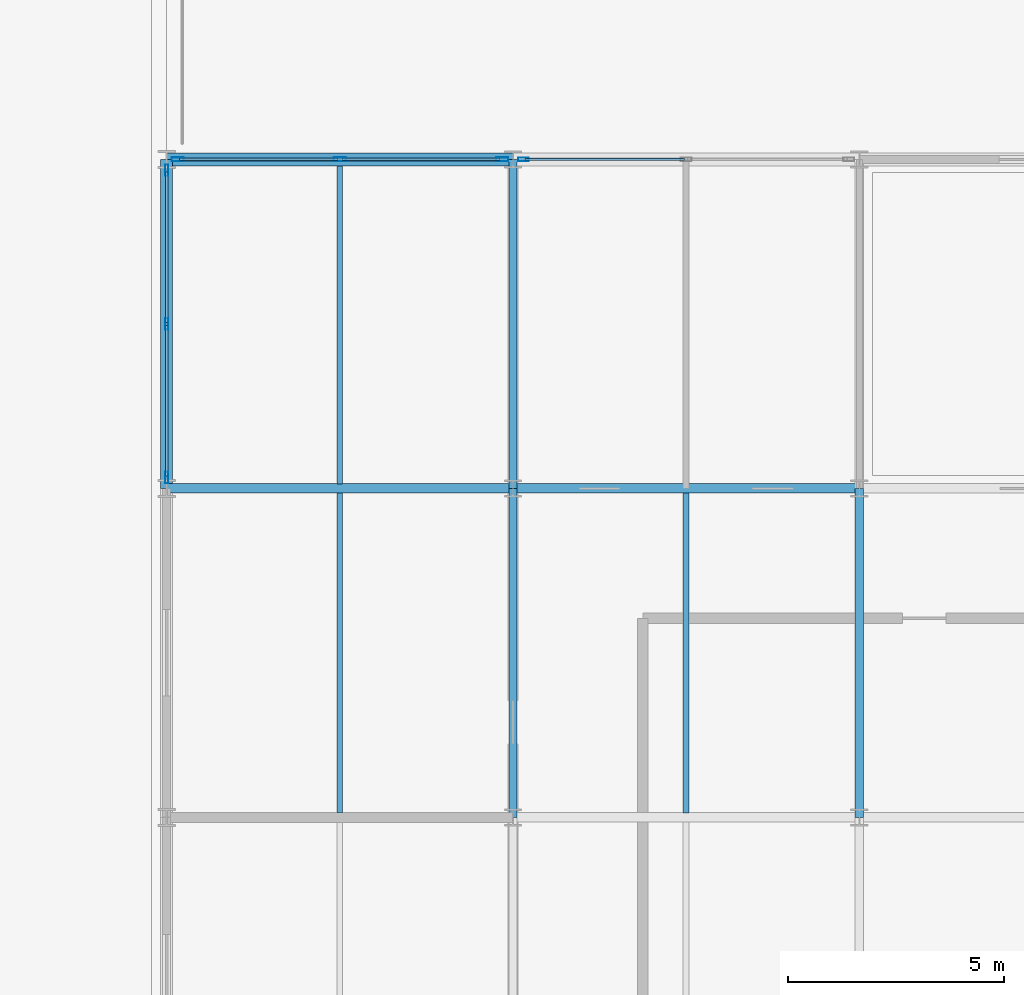
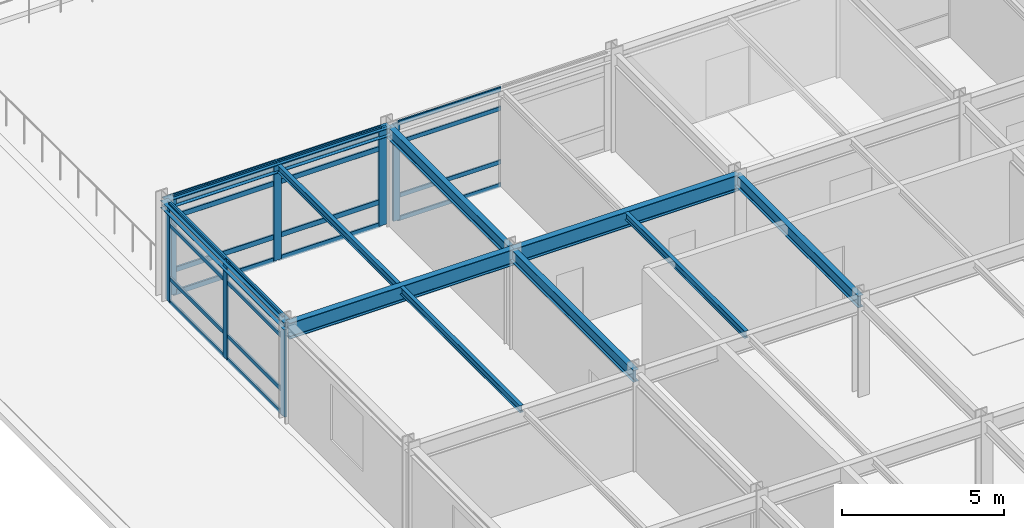
# One storey, part 5 of 46: 27 members, 10 beams, 3 elements without a shape of their own.
"""IFC4 building model written with IfcOpenShell, lengths in metres."""

from ifc_helpers import new_model, si_unit, direction, frame, origin, origin_2d, place, context, subcontext, project, spatial, hollow_rectangle, i_section, extrude, material, layer, layer_set, material_profile, profile_set, type_object, element, aggregate, save


model = new_model("IFC4")

# Units and contexts
model_context = context("Model", 3, precision=1e-05, world=origin(), true_north=direction((0.0, 1.0)))
body_context = subcontext(model_context, "Body", "Model", "MODEL_VIEW")
ifc_project = project(units=[si_unit("LENGTHUNIT", "METRE"), si_unit("AREAUNIT", "SQUARE_METRE"), si_unit("VOLUMEUNIT", "CUBIC_METRE"), si_unit("PLANEANGLEUNIT", "RADIAN"), si_unit("MASSUNIT", "GRAM", prefix="KILO")], contexts=[model_context])

# Site, building, storey
site_placement = place(None, origin())
site = spatial("IfcSite", under=ifc_project, at=site_placement, CompositionType="ELEMENT")
building_placement = place(site_placement, origin())
building = spatial("IfcBuilding", under=site, at=building_placement, Name="Shalkamar Park Central Library", CompositionType="ELEMENT")
storey_placement = place(building_placement, frame((0.0, 0.0, 20.39990234375)))
storey = spatial("IfcBuildingStorey", under=building, at=storey_placement, Name="L05", CompositionType="ELEMENT", Elevation=20.39990234375)

# Beams
ifc_material_1 = material(Name="Steel S355", Category="steel")
ifc_material_profile_1 = material_profile(ifc_material_1, i_section(OverallWidth=0.135009765625, OverallDepth=0.27001953125, WebThickness=0.006591796875, FlangeThickness=0.01025390625, FilletRadius=0.014892578125, at=origin_2d()), Name="IPE 270")
ifc_profile_set_1 = profile_set([ifc_material_profile_1], Name="Steel S355")
beam_type_1 = type_object("IfcBeamType", Name="Composite Floor Joist IPE270", PredefinedType="JOIST", material=ifc_profile_set_1)
beam_1_placement = place(storey_placement, frame((169.0, 278.10791015625, 3.525146484375), z_axis=(0.0, 1.0, 0.0), x_axis=(-1.0, 0.0, 0.0)))
element("IfcBeam", 1, at=beam_1_placement, inside=storey, type_object=beam_type_1, Name="Composite Joist 07/F-1 (L05)", PredefinedType="JOIST", context=body_context, shape_type="SweptSolid", body=[
    extrude(i_section(OverallWidth=0.135009765625, OverallDepth=0.27001953125, WebThickness=0.006591796875, FlangeThickness=0.01025390625, FilletRadius=0.014892578125, at=origin_2d()), origin(), (0.0, 0.0, 1.0), 7.384033203125),
])
beam_2_placement = place(storey_placement, frame((169.0, 285.7080078125, 3.525146484375), z_axis=(0.0, 1.0, 0.0), x_axis=(-1.0, 0.0, 0.0)))
element("IfcBeam", 2, at=beam_2_placement, inside=storey, type_object=beam_type_1, Name="Composite Joist 07/G-1 (L05)", PredefinedType="JOIST", context=body_context, shape_type="SweptSolid", body=[
    extrude(i_section(OverallWidth=0.135009765625, OverallDepth=0.27001953125, WebThickness=0.006591796875, FlangeThickness=0.01025390625, FilletRadius=0.014892578125, at=origin_2d()), origin(), (0.0, 0.0, 1.0), 7.343994140625),
])
beam_3_placement = place(storey_placement, frame((177.0, 278.10791015625, 3.525146484375), z_axis=(0.0, 1.0, 0.0), x_axis=(-1.0, 0.0, 0.0)))
element("IfcBeam", 3, at=beam_3_placement, inside=storey, type_object=beam_type_1, Name="Composite Joist 08/F-1 (L05)", PredefinedType="JOIST", context=body_context, shape_type="SweptSolid", body=[
    extrude(i_section(OverallWidth=0.135009765625, OverallDepth=0.27001953125, WebThickness=0.006591796875, FlangeThickness=0.01025390625, FilletRadius=0.014892578125, at=origin_2d()), origin(), (0.0, 0.0, 1.0), 7.384033203125),
])

# Curtain wall, member
ifc_material_2 = material(Name="Thermally broken aluminium and triple low-e curtain wall", Category="aluminium")
ifc_layer_1 = layer(ifc_material_2, 0.25)
ifc_layer_set_1 = layer_set([ifc_layer_1], Name="UnitisedCurtainWall_68")
curtain_wall_type_1 = type_object("IfcCurtainWallType", Name="Unitised Curtain Wall 68", PredefinedType="USERDEFINED", material=ifc_layer_set_1)
curtain_wall_1_placement = place(storey_placement, origin())
curtain_wall_1 = element("IfcCurtainWall", 4, at=curtain_wall_1_placement, inside=storey, type_object=curtain_wall_type_1, Name="Unitised Curtain Wall CW-L05-083", ObjectType="UNITISED CURTAIN WALL", PredefinedType="USERDEFINED")
ifc_material_3 = material(Name="Aluminium 6060-T66", Category="aluminium")
ifc_material_profile_2 = material_profile(ifc_material_3, hollow_rectangle(XDim=0.074951171875, YDim=0.25, WallThickness=0.00390625, InnerFilletRadius=0.00390625, OuterFilletRadius=0.006103515625, at=origin_2d()), Name="ALU 75x250x4")
ifc_profile_set_2 = profile_set([ifc_material_profile_2], Name="Aluminium 6060-T66")
member_type_1 = type_object("IfcMemberType", Name="Curtain Wall Mullion ALU75x250", PredefinedType="MULLION", material=ifc_profile_set_2)
member_1_placement = place(storey_placement, frame((173.241943359375, 293.199951171875, 0.0), z_axis=(0.0, 0.0, 1.0), x_axis=(0.0, 1.0, 0.0)))
member_1 = element("IfcMember", 5, at=member_1_placement, type_object=member_type_1, Name="CW-68 mullion 1", PredefinedType="MULLION", context=body_context, shape_type="SweptSolid", body=[
    extrude(hollow_rectangle(XDim=0.074951171875, YDim=0.25, WallThickness=0.00390625, InnerFilletRadius=0.00390625, OuterFilletRadius=0.006103515625, at=origin_2d()), origin(), (0.0, 0.0, 1.0), 3.66015625),
])

# Curtain wall, members
ifc_layer_2 = layer(ifc_material_2, 0.260009765625)
ifc_layer_set_2 = layer_set([ifc_layer_2], Name="UnitisedCurtainWall_71")
curtain_wall_type_2 = type_object("IfcCurtainWallType", Name="Unitised Curtain Wall 71", PredefinedType="USERDEFINED", material=ifc_layer_set_2)
curtain_wall_2_placement = place(storey_placement, origin())
curtain_wall_2 = element("IfcCurtainWall", 6, at=curtain_wall_2_placement, inside=storey, type_object=curtain_wall_type_2, Name="Unitised Curtain Wall CW-L05-087", ObjectType="UNITISED CURTAIN WALL", PredefinedType="USERDEFINED")
ifc_material_profile_3 = material_profile(ifc_material_3, hollow_rectangle(XDim=0.074951171875, YDim=0.260009765625, WallThickness=0.00439453125, InnerFilletRadius=0.00439453125, OuterFilletRadius=0.0068359375, at=origin_2d()), Name="ALU 75x260x4.5")
ifc_profile_set_3 = profile_set([ifc_material_profile_3], Name="Aluminium 6060-T66")
member_type_2 = type_object("IfcMemberType", Name="Curtain Wall Mullion ALU75x260", PredefinedType="MULLION", material=ifc_profile_set_3)
member_2_placement = place(storey_placement, frame((165.0, 285.849609375, 0.0), z_axis=(0.0, 0.0, 1.0), x_axis=(-1.0, 0.0, 0.0)))
member_2 = element("IfcMember", 7, at=member_2_placement, type_object=member_type_2, Name="CW-71 mullion 1", PredefinedType="MULLION", context=body_context, shape_type="SweptSolid", body=[
    extrude(hollow_rectangle(XDim=0.074951171875, YDim=0.260009765625, WallThickness=0.00439453125, InnerFilletRadius=0.00439453125, OuterFilletRadius=0.0068359375, at=origin_2d()), origin(), (0.0, 0.0, 1.0), 3.66015625),
])
member_3_placement = place(storey_placement, frame((165.0, 289.39990234375, 0.0), z_axis=(0.0, 0.0, 1.0), x_axis=(-1.0, 0.0, 0.0)))
member_3 = element("IfcMember", 8, at=member_3_placement, type_object=member_type_2, Name="CW-71 mullion 2", PredefinedType="MULLION", context=body_context, shape_type="SweptSolid", body=[
    extrude(hollow_rectangle(XDim=0.074951171875, YDim=0.260009765625, WallThickness=0.00439453125, InnerFilletRadius=0.00439453125, OuterFilletRadius=0.0068359375, at=origin_2d()), origin(), (0.0, 0.0, 1.0), 3.66015625),
])
member_4_placement = place(storey_placement, frame((165.0, 292.950439453125, 0.0), z_axis=(0.0, 0.0, 1.0), x_axis=(-1.0, 0.0, 0.0)))
member_4 = element("IfcMember", 9, at=member_4_placement, type_object=member_type_2, Name="CW-71 mullion 3", PredefinedType="MULLION", context=body_context, shape_type="SweptSolid", body=[
    extrude(hollow_rectangle(XDim=0.074951171875, YDim=0.260009765625, WallThickness=0.00439453125, InnerFilletRadius=0.00439453125, OuterFilletRadius=0.0068359375, at=origin_2d()), origin(), (0.0, 0.0, 1.0), 3.66015625),
])

ifc_layer_3 = layer(ifc_material_2, 0.280029296875)
ifc_layer_set_3 = layer_set([ifc_layer_3], Name="UnitisedCurtainWall_67")
curtain_wall_type_3 = type_object("IfcCurtainWallType", Name="Unitised Curtain Wall 67", PredefinedType="USERDEFINED", material=ifc_layer_set_3)
curtain_wall_3_placement = place(storey_placement, origin())
curtain_wall_3 = element("IfcCurtainWall", 10, at=curtain_wall_3_placement, inside=storey, type_object=curtain_wall_type_3, Name="Unitised Curtain Wall CW-L05-082", ObjectType="UNITISED CURTAIN WALL", PredefinedType="USERDEFINED")
ifc_material_profile_4 = material_profile(ifc_material_3, hollow_rectangle(XDim=0.090087890625, YDim=0.280029296875, WallThickness=0.0048828125, InnerFilletRadius=0.0048828125, OuterFilletRadius=0.007568359375, at=origin_2d()), Name="ALU 90x280x5")
ifc_profile_set_4 = profile_set([ifc_material_profile_4], Name="Aluminium 6060-T66")
member_type_3 = type_object("IfcMemberType", Name="Curtain Wall Mullion ALU90x280", PredefinedType="MULLION", material=ifc_profile_set_4)
member_5_placement = place(storey_placement, frame((165.257080078125, 293.199951171875, 0.0), z_axis=(0.0, 0.0, 1.0), x_axis=(0.0, 1.0, 0.0)))
member_5 = element("IfcMember", 11, at=member_5_placement, type_object=member_type_3, Name="CW-67 mullion 1", PredefinedType="MULLION", context=body_context, shape_type="SweptSolid", body=[
    extrude(hollow_rectangle(XDim=0.090087890625, YDim=0.280029296875, WallThickness=0.0048828125, InnerFilletRadius=0.0048828125, OuterFilletRadius=0.007568359375, at=origin_2d()), origin(), (0.0, 0.0, 1.0), 3.66015625),
])
member_6_placement = place(storey_placement, frame((169.003662109375, 293.199951171875, 0.0), z_axis=(0.0, 0.0, 1.0), x_axis=(0.0, 1.0, 0.0)))
member_6 = element("IfcMember", 12, at=member_6_placement, type_object=member_type_3, Name="CW-67 mullion 2", PredefinedType="MULLION", context=body_context, shape_type="SweptSolid", body=[
    extrude(hollow_rectangle(XDim=0.090087890625, YDim=0.280029296875, WallThickness=0.0048828125, InnerFilletRadius=0.0048828125, OuterFilletRadius=0.007568359375, at=origin_2d()), origin(), (0.0, 0.0, 1.0), 3.66015625),
])
member_7_placement = place(storey_placement, frame((172.75048828125, 293.199951171875, 0.0), z_axis=(0.0, 0.0, 1.0), x_axis=(0.0, 1.0, 0.0)))
member_7 = element("IfcMember", 13, at=member_7_placement, type_object=member_type_3, Name="CW-67 mullion 3", PredefinedType="MULLION", context=body_context, shape_type="SweptSolid", body=[
    extrude(hollow_rectangle(XDim=0.090087890625, YDim=0.280029296875, WallThickness=0.0048828125, InnerFilletRadius=0.0048828125, OuterFilletRadius=0.007568359375, at=origin_2d()), origin(), (0.0, 0.0, 1.0), 3.66015625),
])

# Member
ifc_material_profile_5 = material_profile(ifc_material_3, hollow_rectangle(XDim=0.06005859375, YDim=0.159912109375, WallThickness=0.00390625, InnerFilletRadius=0.00390625, OuterFilletRadius=0.006103515625, at=origin_2d()), Name="ALU 60x160x4")
ifc_profile_set_5 = profile_set([ifc_material_profile_5], Name="Aluminium 6060-T66")
member_type_4 = type_object("IfcMemberType", Name="Curtain Wall Transom ALU60x160", PredefinedType="USERDEFINED", material=ifc_profile_set_5)
member_8_placement = place(storey_placement, frame((173.279541015625, 293.199951171875, 0.030029296875), z_axis=(1.0, 0.0, 0.0), x_axis=(0.0, 1.0, 0.0)))
member_8 = element("IfcMember", 14, at=member_8_placement, type_object=member_type_4, Name="CW-68 transom 1.1", ObjectType="TRANSOM", PredefinedType="USERDEFINED", context=body_context, shape_type="SweptSolid", body=[
    extrude(hollow_rectangle(XDim=0.06005859375, YDim=0.159912109375, WallThickness=0.00390625, InnerFilletRadius=0.00390625, OuterFilletRadius=0.006103515625, at=origin_2d()), origin(), (0.0, 0.0, 1.0), 3.682861328125),
])

member_9_placement = place(storey_placement, frame((173.279541015625, 293.199951171875, 0.900146484375), z_axis=(1.0, 0.0, 0.0), x_axis=(0.0, 1.0, 0.0)))
member_9 = element("IfcMember", 15, at=member_9_placement, type_object=member_type_4, Name="CW-68 transom 1.2", ObjectType="TRANSOM", PredefinedType="USERDEFINED", context=body_context, shape_type="SweptSolid", body=[
    extrude(hollow_rectangle(XDim=0.06005859375, YDim=0.159912109375, WallThickness=0.00390625, InnerFilletRadius=0.00390625, OuterFilletRadius=0.006103515625, at=origin_2d()), origin(), (0.0, 0.0, 1.0), 3.682861328125),
])

member_10_placement = place(storey_placement, frame((173.279541015625, 293.199951171875, 2.91015625), z_axis=(1.0, 0.0, 0.0), x_axis=(0.0, 1.0, 0.0)))
member_10 = element("IfcMember", 16, at=member_10_placement, type_object=member_type_4, Name="CW-68 transom 1.3", ObjectType="TRANSOM", PredefinedType="USERDEFINED", context=body_context, shape_type="SweptSolid", body=[
    extrude(hollow_rectangle(XDim=0.06005859375, YDim=0.159912109375, WallThickness=0.00390625, InnerFilletRadius=0.00390625, OuterFilletRadius=0.006103515625, at=origin_2d()), origin(), (0.0, 0.0, 1.0), 3.682861328125),
])

member_11_placement = place(storey_placement, frame((173.279541015625, 293.199951171875, 3.630126953125), z_axis=(1.0, 0.0, 0.0), x_axis=(0.0, 1.0, 0.0)))
member_11 = element("IfcMember", 17, at=member_11_placement, type_object=member_type_4, Name="CW-68 transom 1.4", ObjectType="TRANSOM", PredefinedType="USERDEFINED", context=body_context, shape_type="SweptSolid", body=[
    extrude(hollow_rectangle(XDim=0.06005859375, YDim=0.159912109375, WallThickness=0.00390625, InnerFilletRadius=0.00390625, OuterFilletRadius=0.006103515625, at=origin_2d()), origin(), (0.0, 0.0, 1.0), 3.682861328125),
])

aggregate(curtain_wall_1, [member_1, member_8, member_9, member_10, member_11])

ifc_material_profile_6 = material_profile(ifc_material_3, hollow_rectangle(XDim=0.06005859375, YDim=0.1650390625, WallThickness=0.00390625, InnerFilletRadius=0.00390625, OuterFilletRadius=0.006103515625, at=origin_2d()), Name="ALU 60x165x4")
ifc_profile_set_6 = profile_set([ifc_material_profile_6], Name="Aluminium 6060-T66")
member_type_5 = type_object("IfcMemberType", Name="Curtain Wall Transom ALU60x165", PredefinedType="USERDEFINED", material=ifc_profile_set_6)
member_12_placement = place(storey_placement, frame((165.0, 285.886962890625, 0.030029296875), z_axis=(0.0, 1.0, 0.0), x_axis=(-1.0, 0.0, 0.0)))
member_12 = element("IfcMember", 18, at=member_12_placement, type_object=member_type_5, Name="CW-71 transom 1.1", ObjectType="TRANSOM", PredefinedType="USERDEFINED", context=body_context, shape_type="SweptSolid", body=[
    extrude(hollow_rectangle(XDim=0.06005859375, YDim=0.1650390625, WallThickness=0.00390625, InnerFilletRadius=0.00390625, OuterFilletRadius=0.006103515625, at=origin_2d()), origin(), (0.0, 0.0, 1.0), 3.4755859375),
])

member_13_placement = place(storey_placement, frame((165.0, 285.886962890625, 0.900146484375), z_axis=(0.0, 1.0, 0.0), x_axis=(-1.0, 0.0, 0.0)))
member_13 = element("IfcMember", 19, at=member_13_placement, type_object=member_type_5, Name="CW-71 transom 1.2", ObjectType="TRANSOM", PredefinedType="USERDEFINED", context=body_context, shape_type="SweptSolid", body=[
    extrude(hollow_rectangle(XDim=0.06005859375, YDim=0.1650390625, WallThickness=0.00390625, InnerFilletRadius=0.00390625, OuterFilletRadius=0.006103515625, at=origin_2d()), origin(), (0.0, 0.0, 1.0), 3.4755859375),
])

member_14_placement = place(storey_placement, frame((165.0, 285.886962890625, 2.91015625), z_axis=(0.0, 1.0, 0.0), x_axis=(-1.0, 0.0, 0.0)))
member_14 = element("IfcMember", 20, at=member_14_placement, type_object=member_type_5, Name="CW-71 transom 1.3", ObjectType="TRANSOM", PredefinedType="USERDEFINED", context=body_context, shape_type="SweptSolid", body=[
    extrude(hollow_rectangle(XDim=0.06005859375, YDim=0.1650390625, WallThickness=0.00390625, InnerFilletRadius=0.00390625, OuterFilletRadius=0.006103515625, at=origin_2d()), origin(), (0.0, 0.0, 1.0), 3.4755859375),
])

member_15_placement = place(storey_placement, frame((165.0, 285.886962890625, 3.630126953125), z_axis=(0.0, 1.0, 0.0), x_axis=(-1.0, 0.0, 0.0)))
member_15 = element("IfcMember", 21, at=member_15_placement, type_object=member_type_5, Name="CW-71 transom 1.4", ObjectType="TRANSOM", PredefinedType="USERDEFINED", context=body_context, shape_type="SweptSolid", body=[
    extrude(hollow_rectangle(XDim=0.06005859375, YDim=0.1650390625, WallThickness=0.00390625, InnerFilletRadius=0.00390625, OuterFilletRadius=0.006103515625, at=origin_2d()), origin(), (0.0, 0.0, 1.0), 3.4755859375),
])

member_16_placement = place(storey_placement, frame((165.0, 289.4375, 0.030029296875), z_axis=(0.0, 1.0, 0.0), x_axis=(-1.0, 0.0, 0.0)))
member_16 = element("IfcMember", 22, at=member_16_placement, type_object=member_type_5, Name="CW-71 transom 2.1", ObjectType="TRANSOM", PredefinedType="USERDEFINED", context=body_context, shape_type="SweptSolid", body=[
    extrude(hollow_rectangle(XDim=0.06005859375, YDim=0.1650390625, WallThickness=0.00390625, InnerFilletRadius=0.00390625, OuterFilletRadius=0.006103515625, at=origin_2d()), origin(), (0.0, 0.0, 1.0), 3.4755859375),
])

member_17_placement = place(storey_placement, frame((165.0, 289.4375, 0.900146484375), z_axis=(0.0, 1.0, 0.0), x_axis=(-1.0, 0.0, 0.0)))
member_17 = element("IfcMember", 23, at=member_17_placement, type_object=member_type_5, Name="CW-71 transom 2.2", ObjectType="TRANSOM", PredefinedType="USERDEFINED", context=body_context, shape_type="SweptSolid", body=[
    extrude(hollow_rectangle(XDim=0.06005859375, YDim=0.1650390625, WallThickness=0.00390625, InnerFilletRadius=0.00390625, OuterFilletRadius=0.006103515625, at=origin_2d()), origin(), (0.0, 0.0, 1.0), 3.4755859375),
])

member_18_placement = place(storey_placement, frame((165.0, 289.4375, 2.91015625), z_axis=(0.0, 1.0, 0.0), x_axis=(-1.0, 0.0, 0.0)))
member_18 = element("IfcMember", 24, at=member_18_placement, type_object=member_type_5, Name="CW-71 transom 2.3", ObjectType="TRANSOM", PredefinedType="USERDEFINED", context=body_context, shape_type="SweptSolid", body=[
    extrude(hollow_rectangle(XDim=0.06005859375, YDim=0.1650390625, WallThickness=0.00390625, InnerFilletRadius=0.00390625, OuterFilletRadius=0.006103515625, at=origin_2d()), origin(), (0.0, 0.0, 1.0), 3.4755859375),
])

member_19_placement = place(storey_placement, frame((165.0, 289.4375, 3.630126953125), z_axis=(0.0, 1.0, 0.0), x_axis=(-1.0, 0.0, 0.0)))
member_19 = element("IfcMember", 25, at=member_19_placement, type_object=member_type_5, Name="CW-71 transom 2.4", ObjectType="TRANSOM", PredefinedType="USERDEFINED", context=body_context, shape_type="SweptSolid", body=[
    extrude(hollow_rectangle(XDim=0.06005859375, YDim=0.1650390625, WallThickness=0.00390625, InnerFilletRadius=0.00390625, OuterFilletRadius=0.006103515625, at=origin_2d()), origin(), (0.0, 0.0, 1.0), 3.4755859375),
])

aggregate(curtain_wall_2, [member_2, member_3, member_4, member_12, member_13, member_14, member_15, member_16, member_17, member_18, member_19])

ifc_material_profile_7 = material_profile(ifc_material_3, hollow_rectangle(XDim=0.070068359375, YDim=0.18994140625, WallThickness=0.0048828125, InnerFilletRadius=0.0048828125, OuterFilletRadius=0.007568359375, at=origin_2d()), Name="ALU 70x190x5")
ifc_profile_set_7 = profile_set([ifc_material_profile_7], Name="Aluminium 6060-T66")
member_type_6 = type_object("IfcMemberType", Name="Curtain Wall Transom ALU70x190", PredefinedType="USERDEFINED", material=ifc_profile_set_7)
member_20_placement = place(storey_placement, frame((165.302001953125, 293.199951171875, 0.03515625), z_axis=(1.0, 0.0, 0.0), x_axis=(0.0, 1.0, 0.0)))
member_20 = element("IfcMember", 26, at=member_20_placement, type_object=member_type_6, Name="CW-67 transom 1.1", ObjectType="TRANSOM", PredefinedType="USERDEFINED", context=body_context, shape_type="SweptSolid", body=[
    extrude(hollow_rectangle(XDim=0.070068359375, YDim=0.18994140625, WallThickness=0.0048828125, InnerFilletRadius=0.0048828125, OuterFilletRadius=0.007568359375, at=origin_2d()), origin(), (0.0, 0.0, 1.0), 3.65673828125),
])

member_21_placement = place(storey_placement, frame((165.302001953125, 293.199951171875, 0.900146484375), z_axis=(1.0, 0.0, 0.0), x_axis=(0.0, 1.0, 0.0)))
member_21 = element("IfcMember", 27, at=member_21_placement, type_object=member_type_6, Name="CW-67 transom 1.2", ObjectType="TRANSOM", PredefinedType="USERDEFINED", context=body_context, shape_type="SweptSolid", body=[
    extrude(hollow_rectangle(XDim=0.070068359375, YDim=0.18994140625, WallThickness=0.0048828125, InnerFilletRadius=0.0048828125, OuterFilletRadius=0.007568359375, at=origin_2d()), origin(), (0.0, 0.0, 1.0), 3.65673828125),
])

member_22_placement = place(storey_placement, frame((165.302001953125, 293.199951171875, 2.91015625), z_axis=(1.0, 0.0, 0.0), x_axis=(0.0, 1.0, 0.0)))
member_22 = element("IfcMember", 28, at=member_22_placement, type_object=member_type_6, Name="CW-67 transom 1.3", ObjectType="TRANSOM", PredefinedType="USERDEFINED", context=body_context, shape_type="SweptSolid", body=[
    extrude(hollow_rectangle(XDim=0.070068359375, YDim=0.18994140625, WallThickness=0.0048828125, InnerFilletRadius=0.0048828125, OuterFilletRadius=0.007568359375, at=origin_2d()), origin(), (0.0, 0.0, 1.0), 3.65673828125),
])

member_23_placement = place(storey_placement, frame((165.302001953125, 293.199951171875, 3.625), z_axis=(1.0, 0.0, 0.0), x_axis=(0.0, 1.0, 0.0)))
member_23 = element("IfcMember", 29, at=member_23_placement, type_object=member_type_6, Name="CW-67 transom 1.4", ObjectType="TRANSOM", PredefinedType="USERDEFINED", context=body_context, shape_type="SweptSolid", body=[
    extrude(hollow_rectangle(XDim=0.070068359375, YDim=0.18994140625, WallThickness=0.0048828125, InnerFilletRadius=0.0048828125, OuterFilletRadius=0.007568359375, at=origin_2d()), origin(), (0.0, 0.0, 1.0), 3.65673828125),
])

member_24_placement = place(storey_placement, frame((169.048828125, 293.199951171875, 0.03515625), z_axis=(1.0, 0.0, 0.0), x_axis=(0.0, 1.0, 0.0)))
member_24 = element("IfcMember", 30, at=member_24_placement, type_object=member_type_6, Name="CW-67 transom 2.1", ObjectType="TRANSOM", PredefinedType="USERDEFINED", context=body_context, shape_type="SweptSolid", body=[
    extrude(hollow_rectangle(XDim=0.070068359375, YDim=0.18994140625, WallThickness=0.0048828125, InnerFilletRadius=0.0048828125, OuterFilletRadius=0.007568359375, at=origin_2d()), origin(), (0.0, 0.0, 1.0), 3.65673828125),
])

member_25_placement = place(storey_placement, frame((169.048828125, 293.199951171875, 0.900146484375), z_axis=(1.0, 0.0, 0.0), x_axis=(0.0, 1.0, 0.0)))
member_25 = element("IfcMember", 31, at=member_25_placement, type_object=member_type_6, Name="CW-67 transom 2.2", ObjectType="TRANSOM", PredefinedType="USERDEFINED", context=body_context, shape_type="SweptSolid", body=[
    extrude(hollow_rectangle(XDim=0.070068359375, YDim=0.18994140625, WallThickness=0.0048828125, InnerFilletRadius=0.0048828125, OuterFilletRadius=0.007568359375, at=origin_2d()), origin(), (0.0, 0.0, 1.0), 3.65673828125),
])

member_26_placement = place(storey_placement, frame((169.048828125, 293.199951171875, 2.91015625), z_axis=(1.0, 0.0, 0.0), x_axis=(0.0, 1.0, 0.0)))
member_26 = element("IfcMember", 32, at=member_26_placement, type_object=member_type_6, Name="CW-67 transom 2.3", ObjectType="TRANSOM", PredefinedType="USERDEFINED", context=body_context, shape_type="SweptSolid", body=[
    extrude(hollow_rectangle(XDim=0.070068359375, YDim=0.18994140625, WallThickness=0.0048828125, InnerFilletRadius=0.0048828125, OuterFilletRadius=0.007568359375, at=origin_2d()), origin(), (0.0, 0.0, 1.0), 3.65673828125),
])

member_27_placement = place(storey_placement, frame((169.048828125, 293.199951171875, 3.625), z_axis=(1.0, 0.0, 0.0), x_axis=(0.0, 1.0, 0.0)))
member_27 = element("IfcMember", 33, at=member_27_placement, type_object=member_type_6, Name="CW-67 transom 2.4", ObjectType="TRANSOM", PredefinedType="USERDEFINED", context=body_context, shape_type="SweptSolid", body=[
    extrude(hollow_rectangle(XDim=0.070068359375, YDim=0.18994140625, WallThickness=0.0048828125, InnerFilletRadius=0.0048828125, OuterFilletRadius=0.007568359375, at=origin_2d()), origin(), (0.0, 0.0, 1.0), 3.65673828125),
])

aggregate(curtain_wall_3, [member_5, member_6, member_7, member_20, member_21, member_22, member_23, member_24, member_25, member_26, member_27])

# Beams
ifc_material_profile_8 = material_profile(ifc_material_1, i_section(OverallWidth=0.280029296875, OverallDepth=0.27001953125, WebThickness=0.008056640625, FlangeThickness=0.012939453125, FilletRadius=0.02392578125, at=origin_2d()), Name="HEA 280")
ifc_profile_set_8 = profile_set([ifc_material_profile_8], Name="Steel S355")
beam_type_2 = type_object("IfcBeamType", Name="Perimeter Spandrel Beam HEA280", PredefinedType="SPANDREL", material=ifc_profile_set_8)
beam_4_placement = place(storey_placement, frame((165.0, 285.60009765625, 3.525146484375), z_axis=(0.0, 1.0, 0.0), x_axis=(-1.0, 0.0, 0.0)))
element("IfcBeam", 34, at=beam_4_placement, inside=storey, type_object=beam_type_2, Name="Beam 07:G-H (L05)", PredefinedType="SPANDREL", context=body_context, shape_type="SweptSolid", body=[
    extrude(i_section(OverallWidth=0.280029296875, OverallDepth=0.27001953125, WebThickness=0.008056640625, FlangeThickness=0.012939453125, FilletRadius=0.02392578125, at=origin_2d()), origin(), (0.0, 0.0, 1.0), 7.599853515625),
])
ifc_material_profile_9 = material_profile(ifc_material_1, i_section(OverallWidth=0.300048828125, OverallDepth=0.31005859375, WebThickness=0.009033203125, FlangeThickness=0.015380859375, FilletRadius=0.027099609375, at=origin_2d()), Name="HEA 320")
ifc_profile_set_9 = profile_set([ifc_material_profile_9], Name="Steel S355")
beam_type_3 = type_object("IfcBeamType", Name="Perimeter Spandrel Beam HEA320", PredefinedType="SPANDREL", material=ifc_profile_set_9)
beam_5_placement = place(storey_placement, frame((165.0, 293.199951171875, 3.505126953125), z_axis=(1.0, 0.0, 0.0), x_axis=(0.0, 1.0, 0.0)))
element("IfcBeam", 35, at=beam_5_placement, inside=storey, type_object=beam_type_3, Name="Beam H:07-08 (L05)", PredefinedType="SPANDREL", context=body_context, shape_type="SweptSolid", body=[
    extrude(i_section(OverallWidth=0.300048828125, OverallDepth=0.31005859375, WebThickness=0.009033203125, FlangeThickness=0.015380859375, FilletRadius=0.027099609375, at=origin_2d()), origin(), (0.0, 0.0, 1.0), 8.0),
])
ifc_material_profile_10 = material_profile(ifc_material_1, i_section(OverallWidth=0.18994140625, OverallDepth=0.449951171875, WebThickness=0.009521484375, FlangeThickness=0.0146484375, FilletRadius=0.02099609375, at=origin_2d()), Name="IPE 450")
ifc_profile_set_10 = profile_set([ifc_material_profile_10], Name="Steel S355")
beam_type_4 = type_object("IfcBeamType", Name="Primary Girder IPE450", PredefinedType="BEAM", material=ifc_profile_set_10)
beam_6_placement = place(storey_placement, frame((173.0, 278.0, 3.43505859375), z_axis=(0.0, 1.0, 0.0), x_axis=(-1.0, 0.0, 0.0)))
element("IfcBeam", 36, at=beam_6_placement, inside=storey, type_object=beam_type_4, Name="Beam 08:F-G (L05)", PredefinedType="BEAM", context=body_context, shape_type="SweptSolid", body=[
    extrude(i_section(OverallWidth=0.18994140625, OverallDepth=0.449951171875, WebThickness=0.009521484375, FlangeThickness=0.0146484375, FilletRadius=0.02099609375, at=origin_2d()), origin(), (0.0, 0.0, 1.0), 7.60009765625),
])
beam_7_placement = place(storey_placement, frame((173.0, 285.60009765625, 3.43505859375), z_axis=(0.0, 1.0, 0.0), x_axis=(-1.0, 0.0, 0.0)))
element("IfcBeam", 37, at=beam_7_placement, inside=storey, type_object=beam_type_4, Name="Beam 08:G-H (L05)", PredefinedType="BEAM", context=body_context, shape_type="SweptSolid", body=[
    extrude(i_section(OverallWidth=0.18994140625, OverallDepth=0.449951171875, WebThickness=0.009521484375, FlangeThickness=0.0146484375, FilletRadius=0.02099609375, at=origin_2d()), origin(), (0.0, 0.0, 1.0), 7.599853515625),
])
beam_8_placement = place(storey_placement, frame((181.0, 278.0, 3.43505859375), z_axis=(0.0, 1.0, 0.0), x_axis=(-1.0, 0.0, 0.0)))
element("IfcBeam", 38, at=beam_8_placement, inside=storey, type_object=beam_type_4, Name="Beam 09:F-G (L05)", PredefinedType="BEAM", context=body_context, shape_type="SweptSolid", body=[
    extrude(i_section(OverallWidth=0.18994140625, OverallDepth=0.449951171875, WebThickness=0.009521484375, FlangeThickness=0.0146484375, FilletRadius=0.02099609375, at=origin_2d()), origin(), (0.0, 0.0, 1.0), 7.60009765625),
])
ifc_material_profile_11 = material_profile(ifc_material_1, i_section(OverallWidth=0.219970703125, OverallDepth=0.60009765625, WebThickness=0.011962890625, FlangeThickness=0.01904296875, FilletRadius=0.02392578125, at=origin_2d()), Name="IPE 600")
ifc_profile_set_11 = profile_set([ifc_material_profile_11], Name="Steel S355")
beam_type_5 = type_object("IfcBeamType", Name="Primary Girder IPE600", PredefinedType="BEAM", material=ifc_profile_set_11)
for number, where, z_axis, x_axis, name in (
    (39, (165.0, 285.60009765625, 3.360107421875), (1.0, 0.0, 0.0), (0.0, 1.0, 0.0), "Beam G:07-08 (L05)"),
    (40, (173.0, 285.60009765625, 3.360107421875), (1.0, 0.0, 0.0), (0.0, 1.0, 0.0), "Beam G:08-09 (L05)"),
):
    element("IfcBeam", number, at=place(storey_placement, frame(where, z_axis=z_axis, x_axis=x_axis)), inside=storey, type_object=beam_type_5, Name=name, PredefinedType="BEAM", context=body_context, shape_type="SweptSolid", body=[
        extrude(i_section(OverallWidth=0.219970703125, OverallDepth=0.60009765625, WebThickness=0.011962890625, FlangeThickness=0.01904296875, FilletRadius=0.02392578125, at=origin_2d()), origin(), (0.0, 0.0, 1.0), 8.0),
    ])

save(model, "model.ifc")
